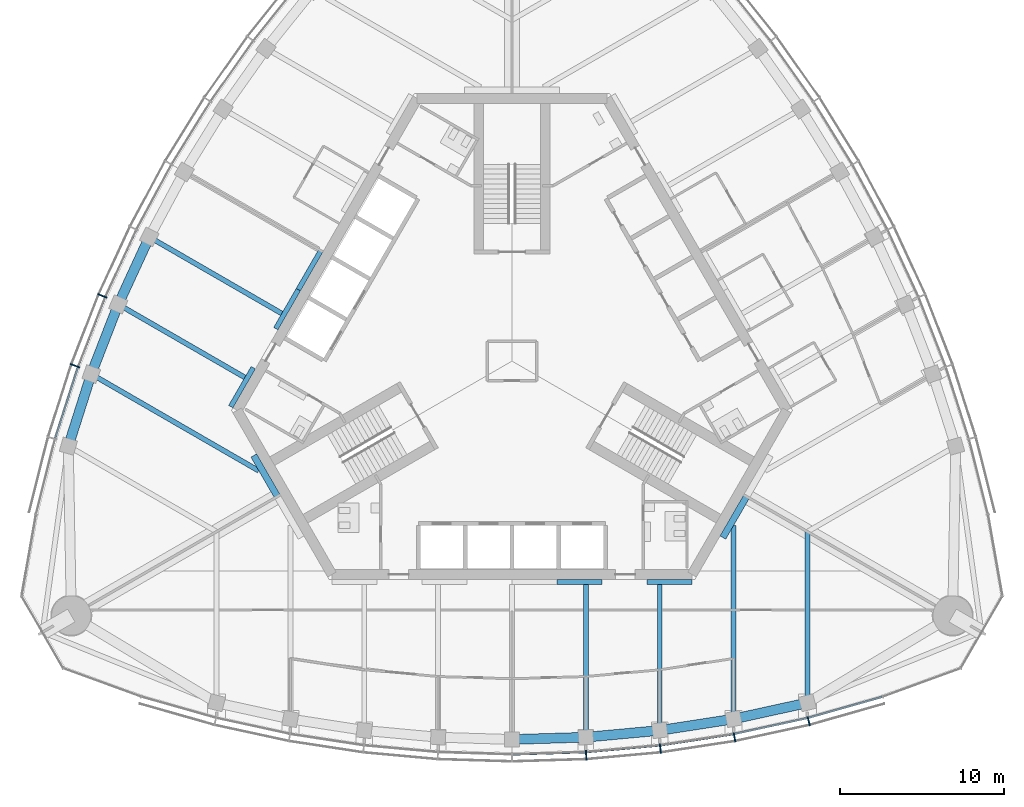
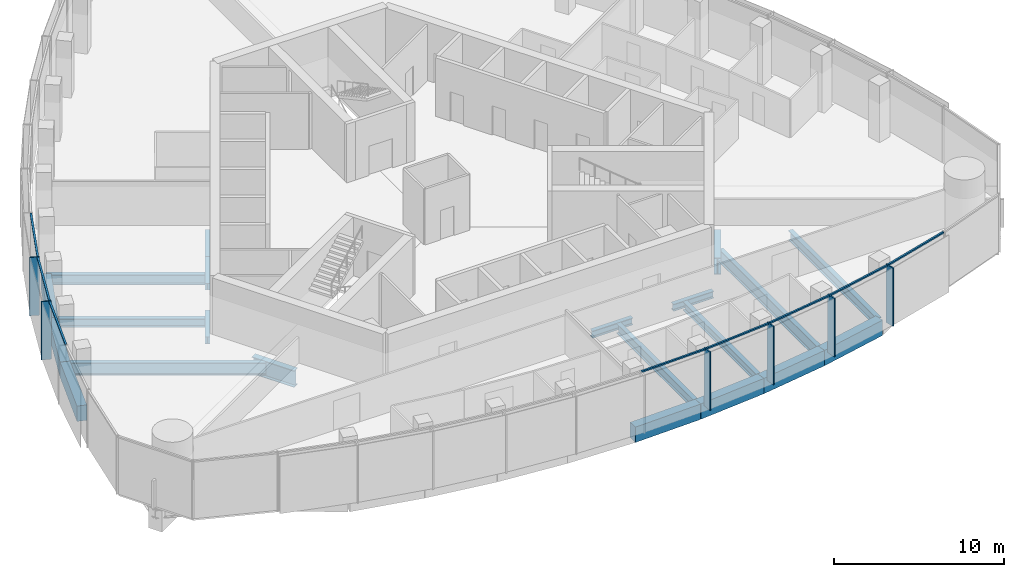
# One storey, part 3 of 16: 21 beams, 14 members, 2 elements without a shape of their own.
"""IFC4 building model written with IfcOpenShell, lengths in metres."""

from ifc_helpers import new_model, si_unit, direction, frame, origin, origin_2d, place, context, subcontext, project, spatial, rectangle, i_section, extrude, material, material_profile, profile_set, type_object, element, aggregate, save


model = new_model("IFC4")

# Units and contexts
model_context = context("Model", 3, precision=1e-05, world=origin(), true_north=direction((0.0, 1.0)))
body_context = subcontext(model_context, "Body", "Model", "MODEL_VIEW")
ifc_project = project(units=[si_unit("LENGTHUNIT", "METRE"), si_unit("AREAUNIT", "SQUARE_METRE"), si_unit("VOLUMEUNIT", "CUBIC_METRE"), si_unit("PLANEANGLEUNIT", "RADIAN"), si_unit("MASSUNIT", "GRAM", prefix="KILO")], contexts=[model_context])

# Site, building, storey
site_placement = place(None, origin())
site = spatial("IfcSite", under=ifc_project, at=site_placement, CompositionType="ELEMENT")
building_placement = place(site_placement, origin())
building = spatial("IfcBuilding", under=site, at=building_placement, Name="Trefoil Bronze Tower", CompositionType="ELEMENT")
storey_placement = place(building_placement, frame((0.0, 0.0, 318.300048828125)))
storey = spatial("IfcBuildingStorey", under=building, at=storey_placement, Name="L73", CompositionType="ELEMENT", Elevation=318.300048828125)

# Curtain wall, members
ifc_material_1 = material(Name="Tinted solar-control glass", Category="glass")
curtain_wall_type = type_object("IfcCurtainWallType", Name="Bronze office curtain wall", PredefinedType="USERDEFINED", material=ifc_material_1)
curtain_wall_1_placement = place(storey_placement, origin())
curtain_wall_1 = element("IfcCurtainWall", 1, at=curtain_wall_1_placement, inside=storey, type_object=curtain_wall_type, Name="CW-A L73 F1", ObjectType="CURTAIN WALL", PredefinedType="USERDEFINED")
ifc_material_2 = material(Name="Bronze-finish aluminium", Category="aluminium")
ifc_material_profile_1 = material_profile(ifc_material_2, rectangle(XDim=0.60009765625, YDim=0.080078125, at=origin_2d()), Name="CW-A mullion")
ifc_profile_set_1 = profile_set([ifc_material_profile_1], Name="Bronze-finish aluminium")
member_type_1 = type_object("IfcMemberType", Name="Bronze office curtain wall mullion", PredefinedType="MULLION", material=ifc_profile_set_1)
member_1_placement = place(storey_placement, frame((4.51806640625, -24.014892578125, 0.0), z_axis=(0.0, 0.0, 1.0), x_axis=(-0.060554040199, 0.998164920349, 0.0)))
member_1 = element("IfcMember", 2, at=member_1_placement, type_object=member_type_1, Name="CW-A L73 F1 mullion 7", PredefinedType="MULLION", context=body_context, shape_type="SweptSolid", body=[
    extrude(rectangle(XDim=0.60009765625, YDim=0.080078125, at=origin_2d()), origin(), (0.0, 0.0, 1.0), 4.179931640625),
])
member_2_placement = place(storey_placement, frame((9.036376953125, -23.602783203125, 0.0), z_axis=(0.0, 0.0, 1.0), x_axis=(-0.121109330868, 0.992639174109, 0.0)))
member_2 = element("IfcMember", 3, at=member_2_placement, type_object=member_type_1, Name="CW-A L73 F1 mullion 8", PredefinedType="MULLION", context=body_context, shape_type="SweptSolid", body=[
    extrude(rectangle(XDim=0.60009765625, YDim=0.080078125, at=origin_2d()), origin(), (0.0, 0.0, 1.0), 4.179931640625),
])
member_3_placement = place(storey_placement, frame((13.554443359375, -22.911376953125, 0.0), z_axis=(0.0, 0.0, 1.0), x_axis=(-0.181667218242, 0.983360067227, 0.0)))
member_3 = element("IfcMember", 4, at=member_3_placement, type_object=member_type_1, Name="CW-A L73 F1 mullion 9", PredefinedType="MULLION", context=body_context, shape_type="SweptSolid", body=[
    extrude(rectangle(XDim=0.60009765625, YDim=0.080078125, at=origin_2d()), origin(), (0.0, 0.0, 1.0), 4.179931640625),
])
member_4_placement = place(storey_placement, frame((18.07275390625, -21.931884765625, 0.0), z_axis=(0.0, 0.0, 1.0), x_axis=(-0.242394494031, 0.97017777199, 0.0)))
member_4 = element("IfcMember", 5, at=member_4_placement, type_object=member_type_1, Name="CW-A L73 F1 mullion 10", PredefinedType="MULLION", context=body_context, shape_type="SweptSolid", body=[
    extrude(rectangle(XDim=0.60009765625, YDim=0.080078125, at=origin_2d()), origin(), (0.0, 0.0, 1.0), 4.179931640625),
])

curtain_wall_2_placement = place(storey_placement, origin())
curtain_wall_2 = element("IfcCurtainWall", 6, at=curtain_wall_2_placement, inside=storey, type_object=curtain_wall_type, Name="CW-A L73 F3", ObjectType="CURTAIN WALL", PredefinedType="USERDEFINED")
member_5_placement = place(storey_placement, frame((-24.958984375, 3.975830078125, 0.0), z_axis=(0.0, 0.0, 1.0), x_axis=(0.920205407004, -0.391435829888, 0.0)))
member_5 = element("IfcMember", 7, at=member_5_placement, type_object=member_type_1, Name="CW-A L73 F3 mullion 8", PredefinedType="MULLION", context=body_context, shape_type="SweptSolid", body=[
    extrude(rectangle(XDim=0.60009765625, YDim=0.080078125, at=origin_2d()), origin(), (0.0, 0.0, 1.0), 4.179931640625),
])
member_6_placement = place(storey_placement, frame((-26.618896484375, -0.282958984375, 0.0), z_axis=(0.0, 0.0, 1.0), x_axis=(0.942448408407, -0.334351607581, 0.0)))
member_6 = element("IfcMember", 8, at=member_6_placement, type_object=member_type_1, Name="CW-A L73 F3 mullion 9", PredefinedType="MULLION", context=body_context, shape_type="SweptSolid", body=[
    extrude(rectangle(XDim=0.60009765625, YDim=0.080078125, at=origin_2d()), origin(), (0.0, 0.0, 1.0), 4.179931640625),
])

# Member
ifc_material_3 = material(Name="Bronze-finish aluminium", Category="aluminium")
ifc_material_profile_2 = material_profile(ifc_material_3, rectangle(XDim=0.1201171875, YDim=0.10009765625, at=origin_2d()), Name="CW-A transom")
ifc_profile_set_2 = profile_set([ifc_material_profile_2], Name="Bronze-finish aluminium")
member_type_2 = type_object("IfcMemberType", Name="Bronze office curtain wall transom", PredefinedType="USERDEFINED", material=ifc_profile_set_2)
member_7_placement = place(storey_placement, frame((0.04296875, -23.950439453125, 4.1298828125), z_axis=(0.99954057115, 0.030309183848, 0.0), x_axis=(-0.030309183848, 0.99954057115, 0.0)))
member_7 = element("IfcMember", 9, at=member_7_placement, type_object=member_type_2, Name="CW-A L73 F1 transom 6", ObjectType="TRANSOM", PredefinedType="USERDEFINED", context=body_context, shape_type="SweptSolid", body=[
    extrude(rectangle(XDim=0.1201171875, YDim=0.10009765625, at=origin_2d()), origin(), (0.0, 0.0, 1.0), 4.422119140625),
])

member_8_placement = place(storey_placement, frame((4.548828125, -23.811279296875, 4.1298828125), z_axis=(0.995868373079, 0.090808499059, 0.0), x_axis=(-0.090808499059, 0.995868373079, 0.0)))
member_8 = element("IfcMember", 10, at=member_8_placement, type_object=member_type_2, Name="CW-A L73 F1 transom 7", ObjectType="TRANSOM", PredefinedType="USERDEFINED", context=body_context, shape_type="SweptSolid", body=[
    extrude(rectangle(XDim=0.1201171875, YDim=0.10009765625, at=origin_2d()), origin(), (0.0, 0.0, 1.0), 4.438720703125),
])

member_9_placement = place(storey_placement, frame((9.0546875, -23.39794921875, 4.1298828125), z_axis=(0.988485016014, 0.151318779787, 0.0), x_axis=(-0.151318779787, 0.988485016014, 0.0)))
member_9 = element("IfcMember", 11, at=member_9_placement, type_object=member_type_2, Name="CW-A L73 F1 transom 8", ObjectType="TRANSOM", PredefinedType="USERDEFINED", context=body_context, shape_type="SweptSolid", body=[
    extrude(rectangle(XDim=0.1201171875, YDim=0.10009765625, at=origin_2d()), origin(), (0.0, 0.0, 1.0), 4.472412109375),
])

member_10_placement = place(storey_placement, frame((13.560302734375, -22.70556640625, 4.1298828125), z_axis=(0.977303780028, 0.211842681117, 0.0), x_axis=(-0.211842681117, 0.977303780028, 0.0)))
member_10 = element("IfcMember", 12, at=member_10_placement, type_object=member_type_2, Name="CW-A L73 F1 transom 9", ObjectType="TRANSOM", PredefinedType="USERDEFINED", context=body_context, shape_type="SweptSolid", body=[
    extrude(rectangle(XDim=0.1201171875, YDim=0.10009765625, at=origin_2d()), origin(), (0.0, 0.0, 1.0), 4.524658203125),
])

member_11_placement = place(storey_placement, frame((18.065673828125, -21.72607421875, 4.1298828125), z_axis=(0.962102611578, 0.272687668944, 0.0), x_axis=(-0.272687668944, 0.962102611578, 0.0)))
member_11 = element("IfcMember", 13, at=member_11_placement, type_object=member_type_2, Name="CW-A L73 F1 transom 10", ObjectType="TRANSOM", PredefinedType="USERDEFINED", context=body_context, shape_type="SweptSolid", body=[
    extrude(rectangle(XDim=0.1201171875, YDim=0.10009765625, at=origin_2d()), origin(), (0.0, 0.0, 1.0), 4.6474609375),
])

aggregate(curtain_wall_1, [member_1, member_2, member_3, member_4, member_7, member_8, member_9, member_10, member_11])

member_12_placement = place(storey_placement, frame((-22.895751953125, 7.966064453125, 4.1298828125), z_axis=(-0.4192988407, -0.907848270466, 0.0), x_axis=(0.907848270466, -0.4192988407, 0.0)))
member_12 = element("IfcMember", 14, at=member_12_placement, type_object=member_type_2, Name="CW-A L73 F3 transom 7", ObjectType="TRANSOM", PredefinedType="USERDEFINED", context=body_context, shape_type="SweptSolid", body=[
    extrude(rectangle(XDim=0.1201171875, YDim=0.10009765625, at=origin_2d()), origin(), (0.0, 0.0, 1.0), 4.4384765625),
])

member_13_placement = place(storey_placement, frame((-24.79052734375, 3.857421875, 4.1298828125), z_axis=(-0.363178486404, -0.931719586042, 0.0), x_axis=(0.931719586042, -0.363178486404, 0.0)))
member_13 = element("IfcMember", 15, at=member_13_placement, type_object=member_type_2, Name="CW-A L73 F3 transom 8", ObjectType="TRANSOM", PredefinedType="USERDEFINED", context=body_context, shape_type="SweptSolid", body=[
    extrude(rectangle(XDim=0.1201171875, YDim=0.10009765625, at=origin_2d()), origin(), (0.0, 0.0, 1.0), 4.472412109375),
])

member_14_placement = place(storey_placement, frame((-26.443603515625, -0.390869140625, 4.1298828125), z_axis=(-0.305198606794, -0.95228872219, 0.0), x_axis=(0.95228872219, -0.305198606794, 0.0)))
member_14 = element("IfcMember", 16, at=member_14_placement, type_object=member_type_2, Name="CW-A L73 F3 transom 9", ObjectType="TRANSOM", PredefinedType="USERDEFINED", context=body_context, shape_type="SweptSolid", body=[
    extrude(rectangle(XDim=0.1201171875, YDim=0.10009765625, at=origin_2d()), origin(), (0.0, 0.0, 1.0), 4.5244140625),
])

aggregate(curtain_wall_2, [member_5, member_6, member_12, member_13, member_14])

# Beams
ifc_material_4 = material(Name="Steel C355", Category="steel")
ifc_material_profile_3 = material_profile(ifc_material_4, i_section(OverallWidth=0.300048828125, OverallDepth=0.5, WebThickness=0.014404296875, FlangeThickness=0.028076171875, FilletRadius=0.027099609375, at=origin_2d()), Name="HEB 500")
ifc_profile_set_3 = profile_set([ifc_material_profile_3], Name="Steel C355")
beam_type_1 = type_object("IfcBeamType", Name="Core seat beam HEB 500", PredefinedType="BEAM", material=ifc_profile_set_3)
for number, where, z_axis, x_axis, name in (
    (17, (2.742431640625, -13.449951171875, -0.449951171875), (1.0, 0.0, 0.0), (0.0, 1.0, 0.0), "Core seat beam F1/+1 L73"),
    (18, (8.227294921875, -13.449951171875, -0.449951171875), (1.0, 0.0, 0.0), (0.0, 1.0, 0.0), "Core seat beam F1/+2 L73"),
    (19, (-11.64794921875, 6.72509765625, -0.449951171875), (-0.500035825175, -0.866004719122, 0.0), (0.866004719122, -0.500035825175, 0.0), "Core seat beam F3/+0 L73"),
    (20, (-13.019287109375, 4.35009765625, -0.449951171875), (-0.499969057507, -0.866043267704, 0.0), (0.866043267704, -0.499969057507, 0.0), "Core seat beam F3/+1 L73"),
    (21, (-15.76171875, -0.39990234375, -0.449951171875), (-0.499969057507, -0.866043267704, 0.0), (0.866043267704, -0.499969057507, 0.0), "Core seat beam F3/+2 L73"),
):
    element("IfcBeam", number, at=place(storey_placement, frame(where, z_axis=z_axis, x_axis=x_axis)), inside=storey, type_object=beam_type_1, Name=name, PredefinedType="BEAM", context=body_context, shape_type="SweptSolid", body=[
        extrude(i_section(OverallWidth=0.300048828125, OverallDepth=0.5, WebThickness=0.014404296875, FlangeThickness=0.028076171875, FilletRadius=0.027099609375, at=origin_2d()), origin(), (0.0, 0.0, 1.0), 2.742431640625),
    ])
ifc_material_5 = material(Name="Steel C355", Category="steel")
ifc_material_profile_4 = material_profile(ifc_material_5, i_section(OverallWidth=0.39990234375, OverallDepth=1.199951171875, WebThickness=0.02001953125, FlangeThickness=0.0400390625, FilletRadius=0.010009765625, at=origin_2d()), Name="WPG 1200")
ifc_profile_set_4 = profile_set([ifc_material_profile_4], Name="Steel C355")
beam_type_2 = type_object("IfcBeamType", Name="Core seat beam WPG 1200", PredefinedType="BEAM", material=ifc_profile_set_4)
beam_1_placement = place(storey_placement, frame((12.845947265625, -10.75, -0.800048828125), z_axis=(0.499995765644, 0.866027848477, 0.0), x_axis=(-0.866027848477, 0.499995765644, 0.0)))
element("IfcBeam", 22, at=beam_1_placement, inside=storey, type_object=beam_type_2, Name="Core seat beam F1/+3 L73", PredefinedType="BEAM", context=body_context, shape_type="SweptSolid", body=[
    extrude(i_section(OverallWidth=0.39990234375, OverallDepth=1.199951171875, WebThickness=0.02001953125, FlangeThickness=0.0400390625, FilletRadius=0.010009765625, at=origin_2d()), origin(), (0.0, 0.0, 1.0), 2.88671875),
])
beam_2_placement = place(storey_placement, frame((-15.73291015625, -5.75, -0.800048828125), z_axis=(0.500059191753, -0.865991226713, 0.0), x_axis=(0.865991226713, 0.500059191753, 0.0)))
element("IfcBeam", 23, at=beam_2_placement, inside=storey, type_object=beam_type_2, Name="Core seat beam F3/+3 L73", PredefinedType="BEAM", context=body_context, shape_type="SweptSolid", body=[
    extrude(i_section(OverallWidth=0.39990234375, OverallDepth=1.199951171875, WebThickness=0.02001953125, FlangeThickness=0.0400390625, FilletRadius=0.010009765625, at=origin_2d()), origin(), (0.0, 0.0, 1.0), 2.886962890625),
])
ifc_material_6 = material(Name="Steel C355", Category="steel")
ifc_material_profile_5 = material_profile(ifc_material_6, i_section(OverallWidth=0.300048828125, OverallDepth=0.60009765625, WebThickness=0.015380859375, FlangeThickness=0.030029296875, FilletRadius=0.027099609375, at=origin_2d()), Name="HEB 600")
ifc_profile_set_5 = profile_set([ifc_material_profile_5], Name="Steel C355")
beam_type_3 = type_object("IfcBeamType", Name="Floor beam HEB 600", PredefinedType="BEAM", material=ifc_profile_set_5)
for number, where, z_axis, x_axis, name in (
    (24, (9.0, -22.499267578125, -0.5), (0.0, 1.0, 0.0), (-1.0, 0.0, 0.0), "Floor beam F1/+2 L73"),
    (25, (-23.98486328125, 3.455322265625, -0.5), (0.866034827411, -0.499983677445, 0.0), (0.499983677445, 0.866034827411, 0.0), "Floor beam F3/+2 L73"),
):
    element("IfcBeam", number, at=place(storey_placement, frame(where, z_axis=z_axis, x_axis=x_axis)), inside=storey, type_object=beam_type_3, Name=name, PredefinedType="BEAM", context=body_context, shape_type="SweptSolid", body=[
        extrude(i_section(OverallWidth=0.300048828125, OverallDepth=0.60009765625, WebThickness=0.015380859375, FlangeThickness=0.030029296875, FilletRadius=0.027099609375, at=origin_2d()), origin(), (0.0, 0.0, 1.0), 8.899169921875),
    ])
ifc_material_7 = material(Name="Steel C355", Category="steel")
ifc_material_profile_6 = material_profile(ifc_material_7, i_section(OverallWidth=0.300048828125, OverallDepth=0.699951171875, WebThickness=0.01708984375, FlangeThickness=0.031982421875, FilletRadius=0.027099609375, at=origin_2d()), Name="HEB 700")
ifc_profile_set_6 = profile_set([ifc_material_profile_6], Name="Steel C355")
beam_type_4 = type_object("IfcBeamType", Name="Floor beam HEB 700", PredefinedType="BEAM", material=ifc_profile_set_6)
beam_3_placement = place(storey_placement, frame((4.5, -22.913818359375, -0.550048828125), z_axis=(0.0, 1.0, 0.0), x_axis=(-1.0, 0.0, 0.0)))
element("IfcBeam", 26, at=beam_3_placement, inside=storey, type_object=beam_type_4, Name="Floor beam F1/+1 L73", PredefinedType="BEAM", context=body_context, shape_type="SweptSolid", body=[
    extrude(i_section(OverallWidth=0.300048828125, OverallDepth=0.699951171875, WebThickness=0.01708984375, FlangeThickness=0.031982421875, FilletRadius=0.027099609375, at=origin_2d()), origin(), (0.0, 0.0, 1.0), 9.313720703125),
])
beam_4_placement = place(storey_placement, frame((18.0, -20.816162109375, -0.550048828125), z_axis=(0.0, 1.0, 0.0), x_axis=(-1.0, 0.0, 0.0)))
element("IfcBeam", 27, at=beam_4_placement, inside=storey, type_object=beam_type_4, Name="Floor beam F1/+4 L73", PredefinedType="BEAM", context=body_context, shape_type="SweptSolid", body=[
    extrude(i_section(OverallWidth=0.300048828125, OverallDepth=0.699951171875, WebThickness=0.01708984375, FlangeThickness=0.031982421875, FilletRadius=0.027099609375, at=origin_2d()), origin(), (0.0, 0.0, 1.0), 10.423828125),
])
beam_5_placement = place(storey_placement, frame((-22.093994140625, 7.559814453125, -0.550048828125), z_axis=(0.866026261222, -0.499998514871, 0.0), x_axis=(0.499998514871, 0.866026261222, 0.0)))
element("IfcBeam", 28, at=beam_5_placement, inside=storey, type_object=beam_type_4, Name="Floor beam F3/+1 L73", PredefinedType="BEAM", context=body_context, shape_type="SweptSolid", body=[
    extrude(i_section(OverallWidth=0.300048828125, OverallDepth=0.699951171875, WebThickness=0.01708984375, FlangeThickness=0.031982421875, FilletRadius=0.027099609375, at=origin_2d()), origin(), (0.0, 0.0, 1.0), 9.31396484375),
])
ifc_material_8 = material(Name="Steel C355", Category="steel")
ifc_material_profile_7 = material_profile(ifc_material_8, i_section(OverallWidth=0.300048828125, OverallDepth=0.89990234375, WebThickness=0.0185546875, FlangeThickness=0.034912109375, FilletRadius=0.030029296875, at=origin_2d()), Name="HEB 900")
ifc_profile_set_7 = profile_set([ifc_material_profile_7], Name="Steel C355")
beam_type_5 = type_object("IfcBeamType", Name="Floor beam HEB 900", PredefinedType="BEAM", material=ifc_profile_set_7)
beam_6_placement = place(storey_placement, frame((13.5, -21.802734375, -0.650146484375), z_axis=(0.0, 1.0, 0.0), x_axis=(-1.0, 0.0, 0.0)))
element("IfcBeam", 29, at=beam_6_placement, inside=storey, type_object=beam_type_5, Name="Floor beam F1/+3 L73", PredefinedType="BEAM", context=body_context, shape_type="SweptSolid", body=[
    extrude(i_section(OverallWidth=0.300048828125, OverallDepth=0.89990234375, WebThickness=0.0185546875, FlangeThickness=0.034912109375, FilletRadius=0.030029296875, at=origin_2d()), origin(), (0.0, 0.0, 1.0), 11.785400390625),
])
beam_7_placement = place(storey_placement, frame((-25.631591796875, -0.7900390625, -0.650146484375), z_axis=(0.866026552003, -0.499998011222, 0.0), x_axis=(0.499998011222, 0.866026552003, 0.0)))
element("IfcBeam", 30, at=beam_7_placement, inside=storey, type_object=beam_type_5, Name="Floor beam F3/+3 L73", PredefinedType="BEAM", context=body_context, shape_type="SweptSolid", body=[
    extrude(i_section(OverallWidth=0.300048828125, OverallDepth=0.89990234375, WebThickness=0.0185546875, FlangeThickness=0.034912109375, FilletRadius=0.030029296875, at=origin_2d()), origin(), (0.0, 0.0, 1.0), 11.78515625),
])
ifc_material_9 = material(Name="Concrete B80", Category="concrete")
ifc_material_profile_8 = material_profile(ifc_material_9, rectangle(XDim=0.60009765625, YDim=1.10009765625, at=origin_2d()), Name="RC 600x1100")
ifc_profile_set_8 = profile_set([ifc_material_profile_8], Name="Concrete B80")
beam_type_6 = type_object("IfcBeamType", Name="Spandrel beam RC 600x1100", PredefinedType="SPANDREL", material=ifc_profile_set_8)
beam_8_placement = place(storey_placement, frame((0.0, -23.051513671875, -0.75), z_axis=(0.999532180362, 0.03058464354, 0.0), x_axis=(-0.03058464354, 0.999532180362, 0.0)))
element("IfcBeam", 31, at=beam_8_placement, inside=storey, type_object=beam_type_6, Name="Spandrel F1.6 L73", PredefinedType="SPANDREL", context=body_context, shape_type="SweptSolid", body=[
    extrude(rectangle(XDim=0.60009765625, YDim=1.10009765625, at=origin_2d()), origin(), (0.0, 0.0, 1.0), 4.502197265625),
])
beam_9_placement = place(storey_placement, frame((4.5, -22.913818359375, -0.75), z_axis=(0.995783550481, 0.091733966402, 0.0), x_axis=(-0.091733966402, 0.995783550481, 0.0)))
element("IfcBeam", 32, at=beam_9_placement, inside=storey, type_object=beam_type_6, Name="Spandrel F1.7 L73", PredefinedType="SPANDREL", context=body_context, shape_type="SweptSolid", body=[
    extrude(rectangle(XDim=0.60009765625, YDim=1.10009765625, at=origin_2d()), origin(), (0.0, 0.0, 1.0), 4.51904296875),
])
beam_10_placement = place(storey_placement, frame((9.0, -22.499267578125, -0.75), z_axis=(0.988231820946, 0.152963616816, 0.0), x_axis=(-0.152963616816, 0.988231820946, 0.0)))
element("IfcBeam", 33, at=beam_10_placement, inside=storey, type_object=beam_type_6, Name="Spandrel F1.8 L73", PredefinedType="SPANDREL", context=body_context, shape_type="SweptSolid", body=[
    extrude(rectangle(XDim=0.60009765625, YDim=1.10009765625, at=origin_2d()), origin(), (0.0, 0.0, 1.0), 4.553466796875),
])
beam_11_placement = place(storey_placement, frame((13.5, -21.802734375, -0.75), z_axis=(0.976800342355, 0.214152028182, 0.0), x_axis=(-0.214152028182, 0.976800342355, 0.0)))
element("IfcBeam", 34, at=beam_11_placement, inside=storey, type_object=beam_type_6, Name="Spandrel F1.9 L73", PredefinedType="SPANDREL", context=body_context, shape_type="SweptSolid", body=[
    extrude(rectangle(XDim=0.60009765625, YDim=1.10009765625, at=origin_2d()), origin(), (0.0, 0.0, 1.0), 4.60693359375),
])
beam_12_placement = place(storey_placement, frame((-22.093994140625, 7.559814453125, -0.75), z_axis=(-0.418417425199, -0.90825484215, 0.0), x_axis=(0.90825484215, -0.418417425199, 0.0)))
element("IfcBeam", 35, at=beam_12_placement, inside=storey, type_object=beam_type_6, Name="Spandrel F3.7 L73", PredefinedType="SPANDREL", context=body_context, shape_type="SweptSolid", body=[
    extrude(rectangle(XDim=0.60009765625, YDim=1.10009765625, at=origin_2d()), origin(), (0.0, 0.0, 1.0), 4.51904296875),
])
beam_13_placement = place(storey_placement, frame((-23.98486328125, 3.455322265625, -0.75), z_axis=(-0.361636286502, -0.932319256631, 0.0), x_axis=(0.932319256631, -0.361636286502, 0.0)))
element("IfcBeam", 36, at=beam_13_placement, inside=storey, type_object=beam_type_6, Name="Spandrel F3.8 L73", PredefinedType="SPANDREL", context=body_context, shape_type="SweptSolid", body=[
    extrude(rectangle(XDim=0.60009765625, YDim=1.10009765625, at=origin_2d()), origin(), (0.0, 0.0, 1.0), 4.553466796875),
])
beam_14_placement = place(storey_placement, frame((-25.631591796875, -0.7900390625, -0.75), z_axis=(-0.302969597344, -0.953000221975, 0.0), x_axis=(0.953000221975, -0.302969597344, 0.0)))
element("IfcBeam", 37, at=beam_14_placement, inside=storey, type_object=beam_type_6, Name="Spandrel F3.9 L73", PredefinedType="SPANDREL", context=body_context, shape_type="SweptSolid", body=[
    extrude(rectangle(XDim=0.60009765625, YDim=1.10009765625, at=origin_2d()), origin(), (0.0, 0.0, 1.0), 4.60693359375),
])

save(model, "model.ifc")
